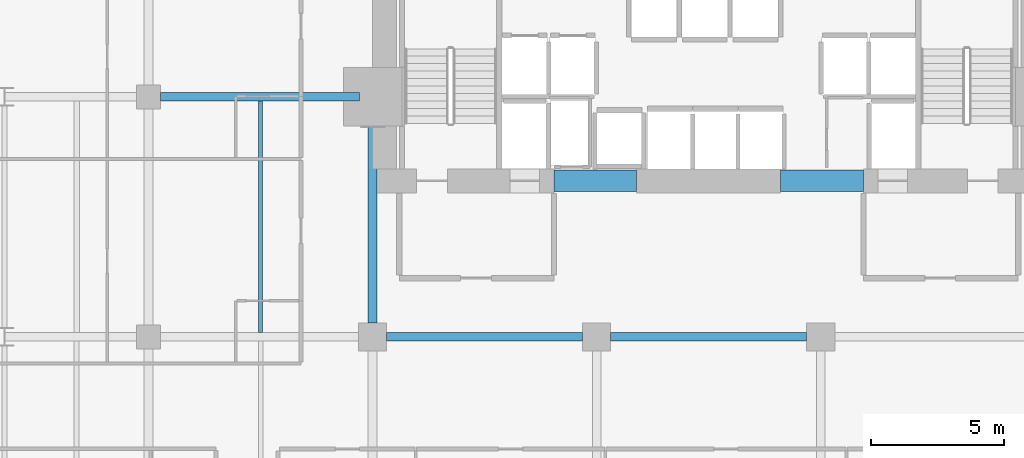
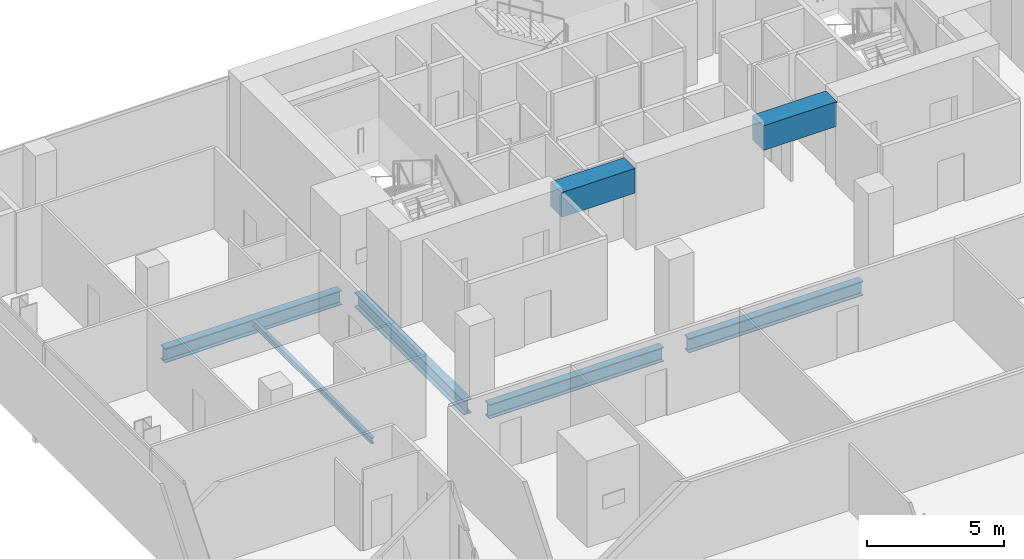
# One storey, part 24 of 40: 7 beams.
"""IFC4 building model written with IfcOpenShell, lengths in metres."""

from ifc_helpers import new_model, si_unit, direction, frame, origin, origin_2d, place, context, subcontext, project, spatial, rectangle, i_section, extrude, material, material_profile, profile_set, type_object, element, save


model = new_model("IFC4")

# Units and contexts
model_context = context("Model", 3, precision=1e-05, world=origin(), true_north=direction((0.0, 1.0)))
body_context = subcontext(model_context, "Body", "Model", "MODEL_VIEW")
ifc_project = project(units=[si_unit("LENGTHUNIT", "METRE"), si_unit("AREAUNIT", "SQUARE_METRE"), si_unit("VOLUMEUNIT", "CUBIC_METRE"), si_unit("PLANEANGLEUNIT", "RADIAN"), si_unit("MASSUNIT", "GRAM", prefix="KILO")], contexts=[model_context])

# Site, building, storey
site_placement = place(None, origin())
site = spatial("IfcSite", under=ifc_project, at=site_placement, CompositionType="ELEMENT")
building_placement = place(site_placement, origin())
building = spatial("IfcBuilding", under=site, at=building_placement, Name="Maruvema Waterfront Hotel and Observation Tower", CompositionType="ELEMENT")
storey_placement = place(building_placement, frame((0.0, 0.0, 34.64990234375)))
storey = spatial("IfcBuildingStorey", under=building, at=storey_placement, Name="L07", CompositionType="ELEMENT", Elevation=34.64990234375)

# Beams
ifc_material_1 = material(Name="Concrete C60/75", Category="concrete")
ifc_material_profile_1 = material_profile(ifc_material_1, rectangle(XDim=0.800048828125, YDim=1.10009765625, at=origin_2d()), Name="CB800x1100")
ifc_profile_set_1 = profile_set([ifc_material_profile_1], Name="Concrete C60/75")
beam_type_1 = type_object("IfcBeamType", Name="Core Coupling Lintel Beam CB800x1100", PredefinedType="LINTEL", material=ifc_profile_set_1)
for number, where, z_axis, x_axis, name in (
    (1, (32.0, 41.85009765625, 3.06005859375), (1.0, 0.0, 0.0), (0.0, 1.0, 0.0), "L07 Core Coupling Lintel Beam West"),
    (2, (40.5, 41.85009765625, 3.06005859375), (1.0, 0.0, 0.0), (0.0, 1.0, 0.0), "L07 Core Coupling Lintel Beam East"),
):
    element("IfcBeam", number, at=place(storey_placement, frame(where, z_axis=z_axis, x_axis=x_axis)), inside=storey, type_object=beam_type_1, Name=name, PredefinedType="LINTEL", context=body_context, shape_type="SweptSolid", body=[
        extrude(rectangle(XDim=0.800048828125, YDim=1.10009765625, at=origin_2d()), origin(), (0.0, 0.0, 1.0), 3.10009765625),
    ])
ifc_material_2 = material(Name="Steel ASTM A572 Grade 50", Category="steel")
ifc_material_profile_2 = material_profile(ifc_material_2, i_section(OverallWidth=0.3291015625, OverallDepth=0.635009765625, WebThickness=0.017822265625, FlangeThickness=0.031005859375, FilletRadius=0.01806640625, at=origin_2d()), Name="W610x241.0")
ifc_profile_set_2 = profile_set([ifc_material_profile_2], Name="Steel ASTM A572 Grade 50")
beam_type_2 = type_object("IfcBeamType", Name="Primary Floor Girder W610x241.0", PredefinedType="BEAM", material=ifc_profile_set_2)
beam_1_placement = place(storey_placement, frame((25.72509765625, 36.0, -0.557373046875), z_axis=(1.0, 0.0, 0.0), x_axis=(0.0, 1.0, 0.0)))
element("IfcBeam", 3, at=beam_1_placement, inside=storey, type_object=beam_type_2, Name="L07 Floor Girder EW-27", PredefinedType="BEAM", context=body_context, shape_type="SweptSolid", body=[
    extrude(i_section(OverallWidth=0.3291015625, OverallDepth=0.635009765625, WebThickness=0.017822265625, FlangeThickness=0.031005859375, FilletRadius=0.01806640625, at=origin_2d()), origin(), (0.0, 0.0, 1.0), 7.349853515625),
])
beam_2_placement = place(storey_placement, frame((34.125, 36.0, -0.557373046875), z_axis=(1.0, 0.0, 0.0), x_axis=(0.0, 1.0, 0.0)))
element("IfcBeam", 4, at=beam_2_placement, inside=storey, type_object=beam_type_2, Name="L07 Floor Girder EW-28", PredefinedType="BEAM", context=body_context, shape_type="SweptSolid", body=[
    extrude(i_section(OverallWidth=0.3291015625, OverallDepth=0.635009765625, WebThickness=0.017822265625, FlangeThickness=0.031005859375, FilletRadius=0.01806640625, at=origin_2d()), origin(), (0.0, 0.0, 1.0), 7.35009765625),
])
beam_3_placement = place(storey_placement, frame((17.25, 45.0, -0.557373046875), z_axis=(1.0, 0.0, 0.0), x_axis=(0.0, 1.0, 0.0)))
element("IfcBeam", 5, at=beam_3_placement, inside=storey, type_object=beam_type_2, Name="L07 Floor Girder EW-33", PredefinedType="BEAM", context=body_context, shape_type="SweptSolid", body=[
    extrude(i_section(OverallWidth=0.3291015625, OverallDepth=0.635009765625, WebThickness=0.017822265625, FlangeThickness=0.031005859375, FilletRadius=0.01806640625, at=origin_2d()), origin(), (0.0, 0.0, 1.0), 7.449951171875),
])
beam_4_placement = place(storey_placement, frame((25.199951171875, 36.52490234375, -0.557373046875), z_axis=(0.0, 1.0, 0.0), x_axis=(-1.0, 0.0, 0.0)))
element("IfcBeam", 6, at=beam_4_placement, inside=storey, type_object=beam_type_2, Name="L07 Floor Girder NS-15", PredefinedType="BEAM", context=body_context, shape_type="SweptSolid", body=[
    extrude(i_section(OverallWidth=0.3291015625, OverallDepth=0.635009765625, WebThickness=0.017822265625, FlangeThickness=0.031005859375, FilletRadius=0.01806640625, at=origin_2d()), origin(), (0.0, 0.0, 1.0), 7.97509765625),
])
ifc_material_3 = material(Name="Steel ASTM A572 Grade 50", Category="steel")
ifc_material_profile_3 = material_profile(ifc_material_3, i_section(OverallWidth=0.14794921875, OverallDepth=0.26611328125, WebThickness=0.007568359375, FlangeThickness=0.012939453125, FilletRadius=0.012939453125, at=origin_2d()), Name="W250x44.8")
ifc_profile_set_3 = profile_set([ifc_material_profile_3], Name="Steel ASTM A572 Grade 50")
beam_type_3 = type_object("IfcBeamType", Name="Secondary Floor Joist W250x44.8", PredefinedType="JOIST", material=ifc_profile_set_3)
beam_5_placement = place(storey_placement, frame((21.0, 36.16455078125, -0.372802734375), z_axis=(0.0, 1.0, 0.0), x_axis=(-1.0, 0.0, 0.0)))
element("IfcBeam", 7, at=beam_5_placement, inside=storey, type_object=beam_type_3, Name="L07 Secondary Floor Joist JS-09", PredefinedType="JOIST", context=body_context, shape_type="SweptSolid", body=[
    extrude(i_section(OverallWidth=0.14794921875, OverallDepth=0.26611328125, WebThickness=0.007568359375, FlangeThickness=0.012939453125, FilletRadius=0.012939453125, at=origin_2d()), origin(), (0.0, 0.0, 1.0), 8.6708984375),
])

save(model, "model.ifc")
